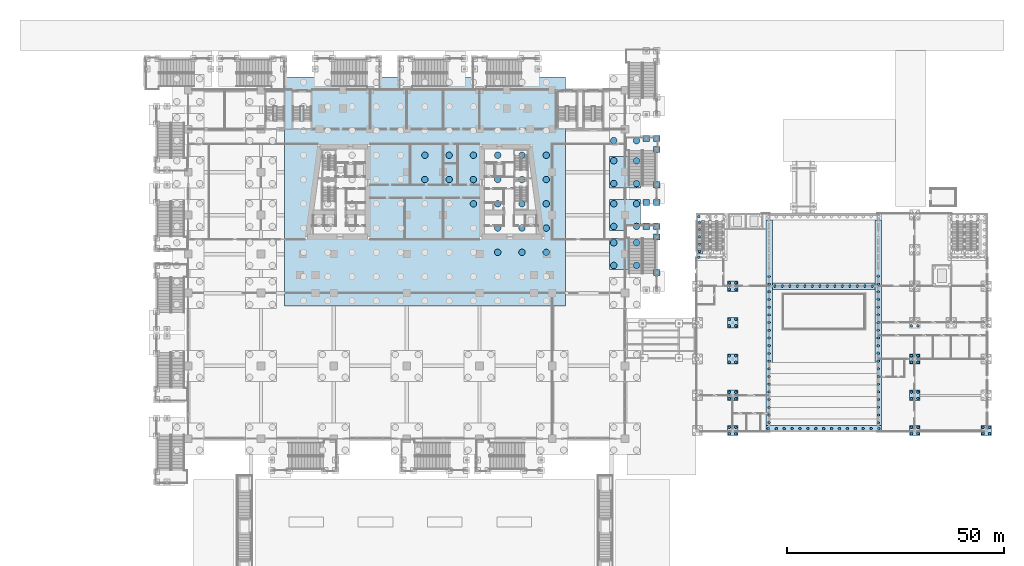
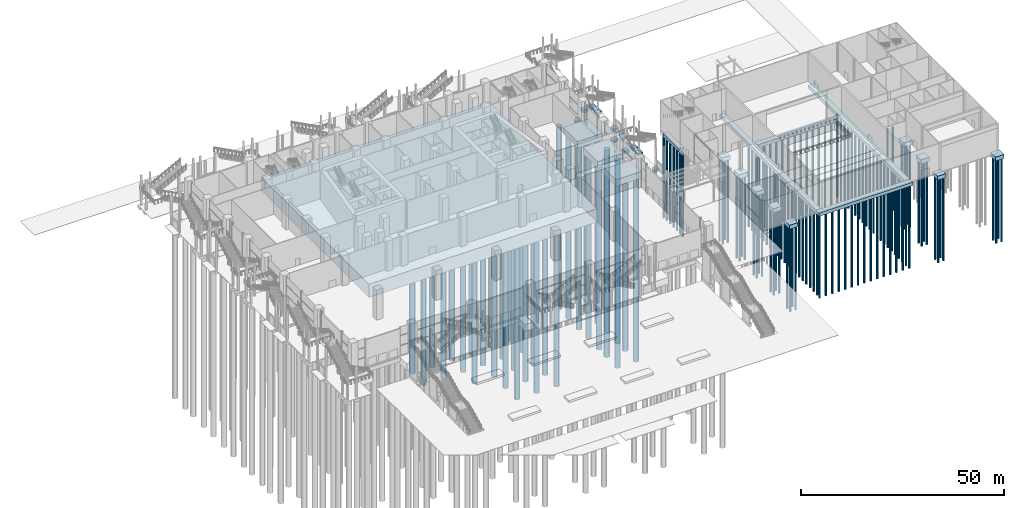
# One storey, part 3 of 72: 150 piles, 28 footings.
"""IFC4 building model written with IfcOpenShell, lengths in metres."""

from ifc_helpers import new_model, si_unit, direction, frame, origin, origin_2d, place, context, subcontext, project, spatial, polyline, rectangle, circle, outline, extrude, material, layer, layer_set, material_profile, profile_set, type_object, element, save


model = new_model("IFC4")

# Units and contexts
model_context = context("Model", 3, precision=1e-05, world=origin(), true_north=direction((0.0, 1.0)))
body_context = subcontext(model_context, "Body", "Model", "MODEL_VIEW")
ifc_project = project(units=[si_unit("LENGTHUNIT", "METRE"), si_unit("AREAUNIT", "SQUARE_METRE"), si_unit("VOLUMEUNIT", "CUBIC_METRE"), si_unit("PLANEANGLEUNIT", "RADIAN"), si_unit("MASSUNIT", "GRAM", prefix="KILO")], contexts=[model_context])

# Site, building, storey
site_placement = place(None, origin())
site = spatial("IfcSite", under=ifc_project, at=site_placement, CompositionType="ELEMENT")
building_placement = place(site_placement, origin())
building = spatial("IfcBuilding", under=site, at=building_placement, Name="Candeia Pilgrim Tower and Theatre", CompositionType="ELEMENT")
storey_placement = place(building_placement, origin())
storey = spatial("IfcBuildingStorey", under=building, at=storey_placement, Name="L00", CompositionType="ELEMENT", Elevation=0.0)

# Piles
ifc_material_1 = material(Name="Concrete C40/50", Category="concrete")
ifc_material_profile = material_profile(ifc_material_1, circle(Radius=0.75, at=origin_2d()))
ifc_profile_set = profile_set([ifc_material_profile], Name="Concrete C40/50")
pile_type_1 = type_object("IfcPileType", Name="Bored pile D1500 C40/50", PredefinedType="BORED", material=ifc_profile_set)
for number, where, z_axis, x_axis, name in (
    (1, (130.199951171875, 107.39990234375, -4.35009765625), (0.0, 0.0, -1.0), (1.0, 0.0, 0.0), "Pile R031"),
    (2, (135.800048828125, 107.39990234375, -4.35009765625), (0.0, 0.0, -1.0), (1.0, 0.0, 0.0), "Pile R032"),
    (3, (141.39990234375, 107.39990234375, -4.35009765625), (0.0, 0.0, -1.0), (1.0, 0.0, 0.0), "Pile R033"),
    (4, (130.199951171875, 113.0, -4.35009765625), (0.0, 0.0, -1.0), (1.0, 0.0, 0.0), "Pile R042"),
    (5, (135.800048828125, 113.0, -4.35009765625), (0.0, 0.0, -1.0), (1.0, 0.0, 0.0), "Pile R043"),
    (6, (141.39990234375, 113.0, -4.35009765625), (0.0, 0.0, -1.0), (1.0, 0.0, 0.0), "Pile R044"),
    (7, (124.60009765625, 118.60009765625, -4.35009765625), (0.0, 0.0, -1.0), (1.0, 0.0, 0.0), "Pile R052"),
    (8, (130.199951171875, 118.60009765625, -4.35009765625), (0.0, 0.0, -1.0), (1.0, 0.0, 0.0), "Pile R053"),
    (9, (135.800048828125, 118.60009765625, -4.35009765625), (0.0, 0.0, -1.0), (1.0, 0.0, 0.0), "Pile R054"),
    (10, (141.39990234375, 118.60009765625, -4.35009765625), (0.0, 0.0, -1.0), (1.0, 0.0, 0.0), "Pile R055"),
    (11, (113.39990234375, 124.199951171875, -4.35009765625), (0.0, 0.0, -1.0), (1.0, 0.0, 0.0), "Pile R061"),
    (12, (119.0, 124.199951171875, -4.35009765625), (0.0, 0.0, -1.0), (1.0, 0.0, 0.0), "Pile R062"),
    (13, (124.60009765625, 124.199951171875, -4.35009765625), (0.0, 0.0, -1.0), (1.0, 0.0, 0.0), "Pile R063"),
    (14, (130.199951171875, 124.199951171875, -4.35009765625), (0.0, 0.0, -1.0), (1.0, 0.0, 0.0), "Pile R064"),
    (15, (135.800048828125, 124.199951171875, -4.35009765625), (0.0, 0.0, -1.0), (1.0, 0.0, 0.0), "Pile R065"),
    (16, (141.39990234375, 124.199951171875, -4.35009765625), (0.0, 0.0, -1.0), (1.0, 0.0, 0.0), "Pile R066"),
    (17, (113.39990234375, 129.800048828125, -4.35009765625), (0.0, 0.0, -1.0), (1.0, 0.0, 0.0), "Pile R072"),
    (18, (119.0, 129.800048828125, -4.35009765625), (0.0, 0.0, -1.0), (1.0, 0.0, 0.0), "Pile R073"),
    (19, (124.60009765625, 129.800048828125, -4.35009765625), (0.0, 0.0, -1.0), (1.0, 0.0, 0.0), "Pile R074"),
    (20, (130.199951171875, 129.800048828125, -4.35009765625), (0.0, 0.0, -1.0), (1.0, 0.0, 0.0), "Pile R075"),
    (21, (135.800048828125, 129.800048828125, -4.35009765625), (0.0, 0.0, -1.0), (1.0, 0.0, 0.0), "Pile R076"),
    (22, (141.39990234375, 129.800048828125, -4.35009765625), (0.0, 0.0, -1.0), (1.0, 0.0, 0.0), "Pile R077"),
    (23, (156.97509765625, 104.375, -2.35009765625), (0.0, 0.0, -1.0), (1.0, 0.0, 0.0), "Pile P+0756+0090-1"),
    (24, (162.22509765625, 104.375, -2.35009765625), (0.0, 0.0, -1.0), (1.0, 0.0, 0.0), "Pile P+0756+0090-2"),
    (25, (156.97509765625, 109.625, -2.35009765625), (0.0, 0.0, -1.0), (1.0, 0.0, 0.0), "Pile P+0756+0090-3"),
    (26, (162.22509765625, 109.625, -2.35009765625), (0.0, 0.0, -1.0), (1.0, 0.0, 0.0), "Pile P+0756+0090-4"),
    (27, (156.97509765625, 113.375, -2.35009765625), (0.0, 0.0, -1.0), (1.0, 0.0, 0.0), "Pile P+0756+0180-1"),
    (28, (162.22509765625, 113.375, -2.35009765625), (0.0, 0.0, -1.0), (1.0, 0.0, 0.0), "Pile P+0756+0180-2"),
    (29, (156.97509765625, 118.625, -2.35009765625), (0.0, 0.0, -1.0), (1.0, 0.0, 0.0), "Pile P+0756+0180-3"),
    (30, (162.22509765625, 118.625, -2.35009765625), (0.0, 0.0, -1.0), (1.0, 0.0, 0.0), "Pile P+0756+0180-4"),
    (31, (156.97509765625, 123.27490234375, -2.35009765625), (0.0, 0.0, -1.0), (1.0, 0.0, 0.0), "Pile P+0756+0279-1"),
    (32, (162.22509765625, 123.27490234375, -2.35009765625), (0.0, 0.0, -1.0), (1.0, 0.0, 0.0), "Pile P+0756+0279-2"),
    (33, (156.97509765625, 128.52490234375, -2.35009765625), (0.0, 0.0, -1.0), (1.0, 0.0, 0.0), "Pile P+0756+0279-3"),
    (34, (162.22509765625, 128.52490234375, -2.35009765625), (0.0, 0.0, -1.0), (1.0, 0.0, 0.0), "Pile P+0756+0279-4"),
    (35, (156.97509765625, 133.175048828125, -2.35009765625), (0.0, 0.0, -1.0), (1.0, 0.0, 0.0), "Pile P+0756+0378-1"),
    (36, (162.22509765625, 133.175048828125, -2.35009765625), (0.0, 0.0, -1.0), (1.0, 0.0, 0.0), "Pile P+0756+0378-2"),
):
    element("IfcPile", number, at=place(storey_placement, frame(where, z_axis=z_axis, x_axis=x_axis)), inside=storey, type_object=pile_type_1, Name=name, PredefinedType="BORED", context=body_context, shape_type="SweptSolid", body=[
        extrude(circle(Radius=0.75, at=origin_2d()), origin(), (0.0, 0.0, 1.0), 55.0),
    ])
ifc_material_2 = material(Name="Concrete C35/45", Category="concrete")
pile_type_2 = type_object("IfcPileType", Name="Bored pile D600", PredefinedType="BORED", material=ifc_material_2)
for number, where, z_axis, x_axis, name in (
    (37, (183.64990234375, 65.550048828125, -1.5), (0.0, 0.0, -1.0), (1.0, 0.0, 0.0), "T-FP-A2-1"),
    (38, (185.14990234375, 65.550048828125, -1.5), (0.0, 0.0, -1.0), (1.0, 0.0, 0.0), "T-FP-A2-2"),
    (39, (183.64990234375, 67.050048828125, -1.5), (0.0, 0.0, -1.0), (1.0, 0.0, 0.0), "T-FP-A2-3"),
    (40, (185.14990234375, 67.050048828125, -1.5), (0.0, 0.0, -1.0), (1.0, 0.0, 0.0), "T-FP-A2-4"),
    (41, (183.64990234375, 73.64990234375, -1.5), (0.0, 0.0, -1.0), (1.0, 0.0, 0.0), "T-FP-B2-1"),
    (42, (185.14990234375, 73.64990234375, -1.5), (0.0, 0.0, -1.0), (1.0, 0.0, 0.0), "T-FP-B2-2"),
    (43, (183.64990234375, 75.14990234375, -1.5), (0.0, 0.0, -1.0), (1.0, 0.0, 0.0), "T-FP-B2-3"),
    (44, (185.14990234375, 75.14990234375, -1.5), (0.0, 0.0, -1.0), (1.0, 0.0, 0.0), "T-FP-B2-4"),
    (45, (183.64990234375, 82.050048828125, -1.5), (0.0, 0.0, -1.0), (1.0, 0.0, 0.0), "T-FP-C2-1"),
    (46, (185.14990234375, 82.050048828125, -1.5), (0.0, 0.0, -1.0), (1.0, 0.0, 0.0), "T-FP-C2-2"),
    (47, (183.64990234375, 83.550048828125, -1.5), (0.0, 0.0, -1.0), (1.0, 0.0, 0.0), "T-FP-C2-3"),
    (48, (185.14990234375, 83.550048828125, -1.5), (0.0, 0.0, -1.0), (1.0, 0.0, 0.0), "T-FP-C2-4"),
    (49, (183.64990234375, 90.449951171875, -1.5), (0.0, 0.0, -1.0), (1.0, 0.0, 0.0), "T-FP-D2-1"),
    (50, (185.14990234375, 90.449951171875, -1.5), (0.0, 0.0, -1.0), (1.0, 0.0, 0.0), "T-FP-D2-2"),
    (51, (183.64990234375, 91.949951171875, -1.5), (0.0, 0.0, -1.0), (1.0, 0.0, 0.0), "T-FP-D2-3"),
    (52, (185.14990234375, 91.949951171875, -1.5), (0.0, 0.0, -1.0), (1.0, 0.0, 0.0), "T-FP-D2-4"),
    (53, (183.64990234375, 98.85009765625, -1.5), (0.0, 0.0, -1.0), (1.0, 0.0, 0.0), "T-FP-E2-1"),
    (54, (185.14990234375, 98.85009765625, -1.5), (0.0, 0.0, -1.0), (1.0, 0.0, 0.0), "T-FP-E2-2"),
    (55, (183.64990234375, 100.35009765625, -1.5), (0.0, 0.0, -1.0), (1.0, 0.0, 0.0), "T-FP-E2-3"),
    (56, (185.14990234375, 100.35009765625, -1.5), (0.0, 0.0, -1.0), (1.0, 0.0, 0.0), "T-FP-E2-4"),
    (57, (225.64990234375, 65.550048828125, -1.5), (0.0, 0.0, -1.0), (1.0, 0.0, 0.0), "T-FP-A7-1"),
    (58, (227.14990234375, 65.550048828125, -1.5), (0.0, 0.0, -1.0), (1.0, 0.0, 0.0), "T-FP-A7-2"),
    (59, (225.64990234375, 67.050048828125, -1.5), (0.0, 0.0, -1.0), (1.0, 0.0, 0.0), "T-FP-A7-3"),
    (60, (227.14990234375, 67.050048828125, -1.5), (0.0, 0.0, -1.0), (1.0, 0.0, 0.0), "T-FP-A7-4"),
    (61, (225.64990234375, 73.64990234375, -1.5), (0.0, 0.0, -1.0), (1.0, 0.0, 0.0), "T-FP-B7-1"),
    (62, (227.14990234375, 73.64990234375, -1.5), (0.0, 0.0, -1.0), (1.0, 0.0, 0.0), "T-FP-B7-2"),
    (63, (225.64990234375, 75.14990234375, -1.5), (0.0, 0.0, -1.0), (1.0, 0.0, 0.0), "T-FP-B7-3"),
    (64, (227.14990234375, 75.14990234375, -1.5), (0.0, 0.0, -1.0), (1.0, 0.0, 0.0), "T-FP-B7-4"),
    (65, (225.64990234375, 82.050048828125, -1.5), (0.0, 0.0, -1.0), (1.0, 0.0, 0.0), "T-FP-C7-1"),
    (66, (227.14990234375, 82.050048828125, -1.5), (0.0, 0.0, -1.0), (1.0, 0.0, 0.0), "T-FP-C7-2"),
    (67, (225.64990234375, 83.550048828125, -1.5), (0.0, 0.0, -1.0), (1.0, 0.0, 0.0), "T-FP-C7-3"),
    (68, (227.14990234375, 83.550048828125, -1.5), (0.0, 0.0, -1.0), (1.0, 0.0, 0.0), "T-FP-C7-4"),
    (69, (225.64990234375, 90.449951171875, -1.5), (0.0, 0.0, -1.0), (1.0, 0.0, 0.0), "T-FP-D7-1"),
    (70, (227.14990234375, 90.449951171875, -1.5), (0.0, 0.0, -1.0), (1.0, 0.0, 0.0), "T-FP-D7-2"),
    (71, (242.14990234375, 65.550048828125, -1.5), (0.0, 0.0, -1.0), (1.0, 0.0, 0.0), "T-FP-A9-1"),
    (72, (243.64990234375, 65.550048828125, -1.5), (0.0, 0.0, -1.0), (1.0, 0.0, 0.0), "T-FP-A9-2"),
    (73, (242.14990234375, 67.050048828125, -1.5), (0.0, 0.0, -1.0), (1.0, 0.0, 0.0), "T-FP-A9-3"),
    (74, (243.64990234375, 67.050048828125, -1.5), (0.0, 0.0, -1.0), (1.0, 0.0, 0.0), "T-FP-A9-4"),
    (75, (192.64990234375, 66.75, -1.300048828125), (0.0, 0.0, -1.0), (1.0, 0.0, 0.0), "T-FSP-001-1"),
    (76, (194.471435546875, 66.75, -1.300048828125), (0.0, 0.0, -1.0), (1.0, 0.0, 0.0), "T-FSP-001-2"),
    (77, (196.29296875, 66.75, -1.300048828125), (0.0, 0.0, -1.0), (1.0, 0.0, 0.0), "T-FSP-001-3"),
    (78, (198.1142578125, 66.75, -1.300048828125), (0.0, 0.0, -1.0), (1.0, 0.0, 0.0), "T-FSP-001-4"),
    (79, (199.935791015625, 66.75, -1.300048828125), (0.0, 0.0, -1.0), (1.0, 0.0, 0.0), "T-FSP-001-5"),
    (80, (201.757080078125, 66.75, -1.300048828125), (0.0, 0.0, -1.0), (1.0, 0.0, 0.0), "T-FSP-001-6"),
    (81, (203.57861328125, 66.75, -1.300048828125), (0.0, 0.0, -1.0), (1.0, 0.0, 0.0), "T-FSP-001-7"),
    (82, (205.39990234375, 66.75, -1.300048828125), (0.0, 0.0, -1.0), (1.0, 0.0, 0.0), "T-FSP-001-8"),
    (83, (207.221435546875, 66.75, -1.300048828125), (0.0, 0.0, -1.0), (1.0, 0.0, 0.0), "T-FSP-001-9"),
    (84, (209.04296875, 66.75, -1.300048828125), (0.0, 0.0, -1.0), (1.0, 0.0, 0.0), "T-FSP-001-10"),
    (85, (210.8642578125, 66.75, -1.300048828125), (0.0, 0.0, -1.0), (1.0, 0.0, 0.0), "T-FSP-001-11"),
    (86, (212.685791015625, 66.75, -1.300048828125), (0.0, 0.0, -1.0), (1.0, 0.0, 0.0), "T-FSP-001-12"),
    (87, (214.507080078125, 66.75, -1.300048828125), (0.0, 0.0, -1.0), (1.0, 0.0, 0.0), "T-FSP-001-13"),
    (88, (216.32861328125, 66.75, -1.300048828125), (0.0, 0.0, -1.0), (1.0, 0.0, 0.0), "T-FSP-001-14"),
    (89, (218.14990234375, 66.75, -1.300048828125), (0.0, 0.0, -1.0), (1.0, 0.0, 0.0), "T-FSP-001-15"),
    (90, (194.14990234375, 99.60009765625, -1.300048828125), (0.0, 0.0, -1.0), (1.0, 0.0, 0.0), "T-FSP-002-1"),
    (91, (195.880859375, 99.60009765625, -1.300048828125), (0.0, 0.0, -1.0), (1.0, 0.0, 0.0), "T-FSP-002-2"),
    (92, (197.611572265625, 99.60009765625, -1.300048828125), (0.0, 0.0, -1.0), (1.0, 0.0, 0.0), "T-FSP-002-3"),
    (93, (199.34228515625, 99.60009765625, -1.300048828125), (0.0, 0.0, -1.0), (1.0, 0.0, 0.0), "T-FSP-002-4"),
    (94, (201.072998046875, 99.60009765625, -1.300048828125), (0.0, 0.0, -1.0), (1.0, 0.0, 0.0), "T-FSP-002-5"),
    (95, (202.8037109375, 99.60009765625, -1.300048828125), (0.0, 0.0, -1.0), (1.0, 0.0, 0.0), "T-FSP-002-6"),
    (96, (204.53466796875, 99.60009765625, -1.300048828125), (0.0, 0.0, -1.0), (1.0, 0.0, 0.0), "T-FSP-002-7"),
    (97, (206.265380859375, 99.60009765625, -1.300048828125), (0.0, 0.0, -1.0), (1.0, 0.0, 0.0), "T-FSP-002-8"),
    (98, (207.99609375, 99.60009765625, -1.300048828125), (0.0, 0.0, -1.0), (1.0, 0.0, 0.0), "T-FSP-002-9"),
    (99, (209.726806640625, 99.60009765625, -1.300048828125), (0.0, 0.0, -1.0), (1.0, 0.0, 0.0), "T-FSP-002-10"),
    (100, (211.457763671875, 99.60009765625, -1.300048828125), (0.0, 0.0, -1.0), (1.0, 0.0, 0.0), "T-FSP-002-11"),
    (101, (213.1884765625, 99.60009765625, -1.300048828125), (0.0, 0.0, -1.0), (1.0, 0.0, 0.0), "T-FSP-002-12"),
    (102, (214.919189453125, 99.60009765625, -1.300048828125), (0.0, 0.0, -1.0), (1.0, 0.0, 0.0), "T-FSP-002-13"),
    (103, (216.64990234375, 99.60009765625, -1.300048828125), (0.0, 0.0, -1.0), (1.0, 0.0, 0.0), "T-FSP-002-14"),
    (104, (176.60009765625, 106.300048828125, -1.300048828125), (0.0, 0.0, -1.0), (1.0, 0.0, 0.0), "T-FSP-003-1"),
    (105, (176.60009765625, 115.64990234375, -1.300048828125), (0.0, 0.0, -1.0), (1.0, 0.0, 0.0), "T-FSP-005-1"),
    (106, (176.75, 107.64990234375, -1.300048828125), (0.0, 0.0, -1.0), (1.0, 0.0, 0.0), "T-FSP-008-1"),
    (107, (176.75, 109.3125, -1.300048828125), (0.0, 0.0, -1.0), (1.0, 0.0, 0.0), "T-FSP-008-2"),
    (108, (176.75, 110.97509765625, -1.300048828125), (0.0, 0.0, -1.0), (1.0, 0.0, 0.0), "T-FSP-008-3"),
    (109, (176.75, 112.637451171875, -1.300048828125), (0.0, 0.0, -1.0), (1.0, 0.0, 0.0), "T-FSP-008-4"),
    (110, (176.75, 114.300048828125, -1.300048828125), (0.0, 0.0, -1.0), (1.0, 0.0, 0.0), "T-FSP-008-5"),
    (111, (192.800048828125, 68.10009765625, -1.300048828125), (0.0, 0.0, -1.0), (1.0, 0.0, 0.0), "T-FSP-011-1"),
    (112, (192.800048828125, 69.876953125, -1.300048828125), (0.0, 0.0, -1.0), (1.0, 0.0, 0.0), "T-FSP-011-2"),
    (113, (192.800048828125, 71.65380859375, -1.300048828125), (0.0, 0.0, -1.0), (1.0, 0.0, 0.0), "T-FSP-011-3"),
    (114, (192.800048828125, 73.430908203125, -1.300048828125), (0.0, 0.0, -1.0), (1.0, 0.0, 0.0), "T-FSP-011-4"),
    (115, (192.800048828125, 75.207763671875, -1.300048828125), (0.0, 0.0, -1.0), (1.0, 0.0, 0.0), "T-FSP-011-5"),
    (116, (192.800048828125, 76.984619140625, -1.300048828125), (0.0, 0.0, -1.0), (1.0, 0.0, 0.0), "T-FSP-011-6"),
    (117, (192.800048828125, 78.761474609375, -1.300048828125), (0.0, 0.0, -1.0), (1.0, 0.0, 0.0), "T-FSP-011-7"),
    (118, (192.800048828125, 80.53857421875, -1.300048828125), (0.0, 0.0, -1.0), (1.0, 0.0, 0.0), "T-FSP-011-8"),
    (119, (192.800048828125, 82.3154296875, -1.300048828125), (0.0, 0.0, -1.0), (1.0, 0.0, 0.0), "T-FSP-011-9"),
    (120, (192.800048828125, 84.09228515625, -1.300048828125), (0.0, 0.0, -1.0), (1.0, 0.0, 0.0), "T-FSP-011-10"),
    (121, (192.800048828125, 85.869140625, -1.300048828125), (0.0, 0.0, -1.0), (1.0, 0.0, 0.0), "T-FSP-011-11"),
    (122, (192.800048828125, 87.646240234375, -1.300048828125), (0.0, 0.0, -1.0), (1.0, 0.0, 0.0), "T-FSP-011-12"),
    (123, (192.800048828125, 89.423095703125, -1.300048828125), (0.0, 0.0, -1.0), (1.0, 0.0, 0.0), "T-FSP-011-13"),
    (124, (192.800048828125, 91.199951171875, -1.300048828125), (0.0, 0.0, -1.0), (1.0, 0.0, 0.0), "T-FSP-011-14"),
    (125, (192.800048828125, 92.976806640625, -1.300048828125), (0.0, 0.0, -1.0), (1.0, 0.0, 0.0), "T-FSP-011-15"),
    (126, (192.800048828125, 94.75390625, -1.300048828125), (0.0, 0.0, -1.0), (1.0, 0.0, 0.0), "T-FSP-011-16"),
    (127, (192.800048828125, 96.53076171875, -1.300048828125), (0.0, 0.0, -1.0), (1.0, 0.0, 0.0), "T-FSP-011-17"),
    (128, (192.800048828125, 98.3076171875, -1.300048828125), (0.0, 0.0, -1.0), (1.0, 0.0, 0.0), "T-FSP-011-18"),
    (129, (192.800048828125, 100.084716796875, -1.300048828125), (0.0, 0.0, -1.0), (1.0, 0.0, 0.0), "T-FSP-011-19"),
    (130, (192.800048828125, 101.861572265625, -1.300048828125), (0.0, 0.0, -1.0), (1.0, 0.0, 0.0), "T-FSP-011-20"),
    (131, (218.0, 68.10009765625, -1.300048828125), (0.0, 0.0, -1.0), (1.0, 0.0, 0.0), "T-FSP-012-1"),
    (132, (218.0, 69.876953125, -1.300048828125), (0.0, 0.0, -1.0), (1.0, 0.0, 0.0), "T-FSP-012-2"),
    (133, (218.0, 71.65380859375, -1.300048828125), (0.0, 0.0, -1.0), (1.0, 0.0, 0.0), "T-FSP-012-3"),
    (134, (218.0, 73.430908203125, -1.300048828125), (0.0, 0.0, -1.0), (1.0, 0.0, 0.0), "T-FSP-012-4"),
    (135, (218.0, 75.207763671875, -1.300048828125), (0.0, 0.0, -1.0), (1.0, 0.0, 0.0), "T-FSP-012-5"),
    (136, (218.0, 76.984619140625, -1.300048828125), (0.0, 0.0, -1.0), (1.0, 0.0, 0.0), "T-FSP-012-6"),
    (137, (218.0, 78.761474609375, -1.300048828125), (0.0, 0.0, -1.0), (1.0, 0.0, 0.0), "T-FSP-012-7"),
    (138, (218.0, 80.53857421875, -1.300048828125), (0.0, 0.0, -1.0), (1.0, 0.0, 0.0), "T-FSP-012-8"),
    (139, (218.0, 82.3154296875, -1.300048828125), (0.0, 0.0, -1.0), (1.0, 0.0, 0.0), "T-FSP-012-9"),
    (140, (218.0, 84.09228515625, -1.300048828125), (0.0, 0.0, -1.0), (1.0, 0.0, 0.0), "T-FSP-012-10"),
    (141, (218.0, 85.869140625, -1.300048828125), (0.0, 0.0, -1.0), (1.0, 0.0, 0.0), "T-FSP-012-11"),
    (142, (218.0, 87.646240234375, -1.300048828125), (0.0, 0.0, -1.0), (1.0, 0.0, 0.0), "T-FSP-012-12"),
    (143, (218.0, 89.423095703125, -1.300048828125), (0.0, 0.0, -1.0), (1.0, 0.0, 0.0), "T-FSP-012-13"),
    (144, (218.0, 91.199951171875, -1.300048828125), (0.0, 0.0, -1.0), (1.0, 0.0, 0.0), "T-FSP-012-14"),
    (145, (218.0, 92.976806640625, -1.300048828125), (0.0, 0.0, -1.0), (1.0, 0.0, 0.0), "T-FSP-012-15"),
    (146, (218.0, 94.75390625, -1.300048828125), (0.0, 0.0, -1.0), (1.0, 0.0, 0.0), "T-FSP-012-16"),
    (147, (218.0, 96.53076171875, -1.300048828125), (0.0, 0.0, -1.0), (1.0, 0.0, 0.0), "T-FSP-012-17"),
    (148, (218.0, 98.3076171875, -1.300048828125), (0.0, 0.0, -1.0), (1.0, 0.0, 0.0), "T-FSP-012-18"),
    (149, (218.0, 100.084716796875, -1.300048828125), (0.0, 0.0, -1.0), (1.0, 0.0, 0.0), "T-FSP-012-19"),
    (150, (218.0, 101.861572265625, -1.300048828125), (0.0, 0.0, -1.0), (1.0, 0.0, 0.0), "T-FSP-012-20"),
):
    element("IfcPile", number, at=place(storey_placement, frame(where, z_axis=z_axis, x_axis=x_axis)), inside=storey, type_object=pile_type_2, Name=name, PredefinedType="BORED", context=body_context, shape_type="SweptSolid", body=[
        extrude(circle(Radius=0.300048828125, at=origin_2d()), origin(), (0.0, 0.0, 1.0), 25.0),
    ])

# Footings
footing_type_1 = type_object("IfcFootingType", Name="Escape stair pad footing 1400", PredefinedType="PAD_FOOTING", material=ifc_material_2)
footing_1_placement = place(storey_placement, frame((0.0, 0.0, -1.0)))
element("IfcFooting", 151, at=footing_1_placement, inside=storey, type_object=footing_type_1, Name="External escape stair ES1 pad N2", PredefinedType="PAD_FOOTING", context=body_context, shape_type="SweptSolid", body=[
    extrude(outline(polyline([(166.199951171875, 102.050048828125), (167.60009765625, 102.050048828125), (167.60009765625, 103.449951171875), (166.199951171875, 103.449951171875), (166.199951171875, 102.050048828125)])), origin(), (0.0, 0.0, 1.0), 0.800048828125),
])
footing_2_placement = place(storey_placement, frame((0.0, 0.0, -1.0)))
element("IfcFooting", 152, at=footing_2_placement, inside=storey, type_object=footing_type_1, Name="External escape stair ES1 pad F1", PredefinedType="PAD_FOOTING", context=body_context, shape_type="SweptSolid", body=[
    extrude(outline(polyline([(166.199951171875, 110.2099609375), (167.60009765625, 110.2099609375), (167.60009765625, 111.610107421875), (166.199951171875, 111.610107421875), (166.199951171875, 110.2099609375)])), origin(), (0.0, 0.0, 1.0), 0.800048828125),
])
footing_3_placement = place(storey_placement, frame((0.0, 0.0, -1.0)))
element("IfcFooting", 153, at=footing_3_placement, inside=storey, type_object=footing_type_1, Name="External escape stair ES1 pad F2", PredefinedType="PAD_FOOTING", context=body_context, shape_type="SweptSolid", body=[
    extrude(outline(polyline([(166.199951171875, 112.7099609375), (167.60009765625, 112.7099609375), (167.60009765625, 114.110107421875), (166.199951171875, 114.110107421875), (166.199951171875, 112.7099609375)])), origin(), (0.0, 0.0, 1.0), 0.800048828125),
])
footing_4_placement = place(storey_placement, frame((0.0, 0.0, -1.0)))
element("IfcFooting", 154, at=footing_4_placement, inside=storey, type_object=footing_type_1, Name="External escape stair ES1 pad F3", PredefinedType="PAD_FOOTING", context=body_context, shape_type="SweptSolid", body=[
    extrude(outline(polyline([(163.77490234375, 112.7099609375), (165.175048828125, 112.7099609375), (165.175048828125, 114.110107421875), (163.77490234375, 114.110107421875), (163.77490234375, 112.7099609375)])), origin(), (0.0, 0.0, 1.0), 0.800048828125),
])
footing_5_placement = place(storey_placement, frame((0.0, 0.0, -1.0)))
element("IfcFooting", 155, at=footing_5_placement, inside=storey, type_object=footing_type_1, Name="External escape stair ES14 pad N1", PredefinedType="PAD_FOOTING", context=body_context, shape_type="SweptSolid", body=[
    extrude(outline(polyline([(166.199951171875, 118.199951171875), (167.60009765625, 118.199951171875), (167.60009765625, 119.60009765625), (166.199951171875, 119.60009765625), (166.199951171875, 118.199951171875)])), origin(), (0.0, 0.0, 1.0), 0.800048828125),
])
footing_6_placement = place(storey_placement, frame((0.0, 0.0, -1.0)))
element("IfcFooting", 156, at=footing_6_placement, inside=storey, type_object=footing_type_1, Name="External escape stair ES14 pad N2", PredefinedType="PAD_FOOTING", context=body_context, shape_type="SweptSolid", body=[
    extrude(outline(polyline([(166.199951171875, 122.300048828125), (167.60009765625, 122.300048828125), (167.60009765625, 123.699951171875), (166.199951171875, 123.699951171875), (166.199951171875, 122.300048828125)])), origin(), (0.0, 0.0, 1.0), 0.800048828125),
])
footing_7_placement = place(storey_placement, frame((0.0, 0.0, -1.0)))
element("IfcFooting", 157, at=footing_7_placement, inside=storey, type_object=footing_type_1, Name="External escape stair ES14 pad N3", PredefinedType="PAD_FOOTING", context=body_context, shape_type="SweptSolid", body=[
    extrude(outline(polyline([(163.77490234375, 118.199951171875), (165.175048828125, 118.199951171875), (165.175048828125, 119.60009765625), (163.77490234375, 119.60009765625), (163.77490234375, 118.199951171875)])), origin(), (0.0, 0.0, 1.0), 0.800048828125),
])
footing_8_placement = place(storey_placement, frame((0.0, 0.0, -1.0)))
element("IfcFooting", 158, at=footing_8_placement, inside=storey, type_object=footing_type_1, Name="External escape stair ES14 pad F1", PredefinedType="PAD_FOOTING", context=body_context, shape_type="SweptSolid", body=[
    extrude(outline(polyline([(166.199951171875, 130.4599609375), (167.60009765625, 130.4599609375), (167.60009765625, 131.860107421875), (166.199951171875, 131.860107421875), (166.199951171875, 130.4599609375)])), origin(), (0.0, 0.0, 1.0), 0.800048828125),
])
footing_9_placement = place(storey_placement, frame((0.0, 0.0, -1.0)))
element("IfcFooting", 159, at=footing_9_placement, inside=storey, type_object=footing_type_1, Name="External escape stair ES14 pad F2", PredefinedType="PAD_FOOTING", context=body_context, shape_type="SweptSolid", body=[
    extrude(outline(polyline([(166.199951171875, 132.9599609375), (167.60009765625, 132.9599609375), (167.60009765625, 134.360107421875), (166.199951171875, 134.360107421875), (166.199951171875, 132.9599609375)])), origin(), (0.0, 0.0, 1.0), 0.800048828125),
])
footing_10_placement = place(storey_placement, frame((0.0, 0.0, -1.0)))
element("IfcFooting", 160, at=footing_10_placement, inside=storey, type_object=footing_type_1, Name="External escape stair ES14 pad F3", PredefinedType="PAD_FOOTING", context=body_context, shape_type="SweptSolid", body=[
    extrude(outline(polyline([(163.77490234375, 132.9599609375), (165.175048828125, 132.9599609375), (165.175048828125, 134.360107421875), (163.77490234375, 134.360107421875), (163.77490234375, 132.9599609375)])), origin(), (0.0, 0.0, 1.0), 0.800048828125),
])
footing_type_2 = type_object("IfcFootingType", Name="RC pile cap 7200x7200x2000 C40/50", PredefinedType="PILE_CAP", material=ifc_material_1)
for number, where, z_axis, x_axis, name in (
    (161, (159.60009765625, 107.0, -2.35009765625), (0.0, 0.0, 1.0), (1.0, 0.0, 0.0), "Pile cap P+0756+0090"),
    (162, (159.60009765625, 116.0, -2.35009765625), (0.0, 0.0, 1.0), (1.0, 0.0, 0.0), "Pile cap P+0756+0180"),
    (163, (159.60009765625, 125.89990234375, -2.35009765625), (0.0, 0.0, 1.0), (1.0, 0.0, 0.0), "Pile cap P+0756+0279"),
):
    element("IfcFooting", number, at=place(storey_placement, frame(where, z_axis=z_axis, x_axis=x_axis)), inside=storey, type_object=footing_type_2, Name=name, PredefinedType="PILE_CAP", context=body_context, shape_type="SweptSolid", body=[
        extrude(rectangle(XDim=7.199951171875, YDim=7.199951171875, at=origin_2d()), origin(), (0.0, 0.0, 1.0), 2.0),
    ])
ifc_layer = layer(ifc_material_1, 4.0)
ifc_layer_set = layer_set([ifc_layer], Name="RC raft 4000 C40/50")
footing_type_3 = type_object("IfcFootingType", Name="RC raft 4000 C40/50", PredefinedType="PILE_CAP", material=ifc_layer_set)
footing_11_placement = place(storey_placement, frame((0.0, 0.0, -4.35009765625)))
element("IfcFooting", 164, at=footing_11_placement, inside=storey, type_object=footing_type_3, Name="Tower raft", PredefinedType="PILE_CAP", context=body_context, shape_type="SweptSolid", body=[
    extrude(outline(polyline([(81.0, 95.0), (145.800048828125, 95.0), (145.800048828125, 147.800048828125), (81.0, 147.800048828125), (81.0, 95.0)])), origin(), (0.0, 0.0, 1.0), 4.0),
])
footing_type_4 = type_object("IfcFootingType", Name="Theatre pile cap 2400x2400", PredefinedType="PILE_CAP", material=ifc_material_2)
footing_12_placement = place(storey_placement, frame((0.0, 0.0, -1.5)))
element("IfcFooting", 165, at=footing_12_placement, inside=storey, type_object=footing_type_4, Name="Pile cap A2", PredefinedType="PILE_CAP", context=body_context, shape_type="SweptSolid", body=[
    extrude(outline(polyline([(183.199951171875, 65.10009765625), (185.60009765625, 65.10009765625), (185.60009765625, 67.5), (183.199951171875, 67.5), (183.199951171875, 65.10009765625)])), origin(), (0.0, 0.0, 1.0), 1.199951171875),
])
footing_13_placement = place(storey_placement, frame((0.0, 0.0, -1.5)))
element("IfcFooting", 166, at=footing_13_placement, inside=storey, type_object=footing_type_4, Name="Pile cap B2", PredefinedType="PILE_CAP", context=body_context, shape_type="SweptSolid", body=[
    extrude(outline(polyline([(183.199951171875, 73.199951171875), (185.60009765625, 73.199951171875), (185.60009765625, 75.60009765625), (183.199951171875, 75.60009765625), (183.199951171875, 73.199951171875)])), origin(), (0.0, 0.0, 1.0), 1.199951171875),
])
footing_14_placement = place(storey_placement, frame((0.0, 0.0, -1.5)))
element("IfcFooting", 167, at=footing_14_placement, inside=storey, type_object=footing_type_4, Name="Pile cap C2", PredefinedType="PILE_CAP", context=body_context, shape_type="SweptSolid", body=[
    extrude(outline(polyline([(183.199951171875, 81.60009765625), (185.60009765625, 81.60009765625), (185.60009765625, 84.0), (183.199951171875, 84.0), (183.199951171875, 81.60009765625)])), origin(), (0.0, 0.0, 1.0), 1.199951171875),
])
footing_15_placement = place(storey_placement, frame((0.0, 0.0, -1.5)))
element("IfcFooting", 168, at=footing_15_placement, inside=storey, type_object=footing_type_4, Name="Pile cap D2", PredefinedType="PILE_CAP", context=body_context, shape_type="SweptSolid", body=[
    extrude(outline(polyline([(183.199951171875, 90.0), (185.60009765625, 90.0), (185.60009765625, 92.39990234375), (183.199951171875, 92.39990234375), (183.199951171875, 90.0)])), origin(), (0.0, 0.0, 1.0), 1.199951171875),
])
footing_16_placement = place(storey_placement, frame((0.0, 0.0, -1.5)))
element("IfcFooting", 169, at=footing_16_placement, inside=storey, type_object=footing_type_4, Name="Pile cap E2", PredefinedType="PILE_CAP", context=body_context, shape_type="SweptSolid", body=[
    extrude(outline(polyline([(183.199951171875, 98.39990234375), (185.60009765625, 98.39990234375), (185.60009765625, 100.800048828125), (183.199951171875, 100.800048828125), (183.199951171875, 98.39990234375)])), origin(), (0.0, 0.0, 1.0), 1.199951171875),
])
footing_17_placement = place(storey_placement, frame((0.0, 0.0, -1.5)))
element("IfcFooting", 170, at=footing_17_placement, inside=storey, type_object=footing_type_4, Name="Pile cap A7", PredefinedType="PILE_CAP", context=body_context, shape_type="SweptSolid", body=[
    extrude(outline(polyline([(225.199951171875, 65.10009765625), (227.60009765625, 65.10009765625), (227.60009765625, 67.5), (225.199951171875, 67.5), (225.199951171875, 65.10009765625)])), origin(), (0.0, 0.0, 1.0), 1.199951171875),
])
footing_18_placement = place(storey_placement, frame((0.0, 0.0, -1.5)))
element("IfcFooting", 171, at=footing_18_placement, inside=storey, type_object=footing_type_4, Name="Pile cap B7", PredefinedType="PILE_CAP", context=body_context, shape_type="SweptSolid", body=[
    extrude(outline(polyline([(225.199951171875, 73.199951171875), (227.60009765625, 73.199951171875), (227.60009765625, 75.60009765625), (225.199951171875, 75.60009765625), (225.199951171875, 73.199951171875)])), origin(), (0.0, 0.0, 1.0), 1.199951171875),
])
footing_19_placement = place(storey_placement, frame((0.0, 0.0, -1.5)))
element("IfcFooting", 172, at=footing_19_placement, inside=storey, type_object=footing_type_4, Name="Pile cap C7", PredefinedType="PILE_CAP", context=body_context, shape_type="SweptSolid", body=[
    extrude(outline(polyline([(225.199951171875, 81.60009765625), (227.60009765625, 81.60009765625), (227.60009765625, 84.0), (225.199951171875, 84.0), (225.199951171875, 81.60009765625)])), origin(), (0.0, 0.0, 1.0), 1.199951171875),
])
footing_20_placement = place(storey_placement, frame((0.0, 0.0, -1.5)))
element("IfcFooting", 173, at=footing_20_placement, inside=storey, type_object=footing_type_4, Name="Pile cap A9", PredefinedType="PILE_CAP", context=body_context, shape_type="SweptSolid", body=[
    extrude(outline(polyline([(241.699951171875, 65.10009765625), (244.10009765625, 65.10009765625), (244.10009765625, 67.5), (241.699951171875, 67.5), (241.699951171875, 65.10009765625)])), origin(), (0.0, 0.0, 1.0), 1.199951171875),
])
footing_type_5 = type_object("IfcFootingType", Name="Theatre wall footing 1500", PredefinedType="STRIP_FOOTING", material=ifc_material_2)
footing_21_placement = place(storey_placement, frame((0.0, 0.0, -1.300048828125)))
element("IfcFooting", 174, at=footing_21_placement, inside=storey, type_object=footing_type_5, Name="Wall footing 1", PredefinedType="STRIP_FOOTING", context=body_context, shape_type="SweptSolid", body=[
    extrude(outline(polyline([(192.050048828125, 66.0), (218.75, 66.0), (218.75, 67.5), (192.050048828125, 67.5), (192.050048828125, 66.0)])), origin(), (0.0, 0.0, 1.0), 1.0),
])
footing_22_placement = place(storey_placement, frame((0.0, 0.0, -1.300048828125)))
element("IfcFooting", 175, at=footing_22_placement, inside=storey, type_object=footing_type_5, Name="Wall footing 2", PredefinedType="STRIP_FOOTING", context=body_context, shape_type="SweptSolid", body=[
    extrude(outline(polyline([(193.550048828125, 98.85009765625), (217.25, 98.85009765625), (217.25, 100.35009765625), (193.550048828125, 100.35009765625), (193.550048828125, 98.85009765625)])), origin(), (0.0, 0.0, 1.0), 1.0),
])
footing_23_placement = place(storey_placement, frame((0.0, 0.0, -1.300048828125)))
element("IfcFooting", 176, at=footing_23_placement, inside=storey, type_object=footing_type_5, Name="Wall footing 8", PredefinedType="STRIP_FOOTING", context=body_context, shape_type="SweptSolid", body=[
    extrude(outline(polyline([(176.0, 107.050048828125), (177.5, 107.050048828125), (177.5, 114.89990234375), (176.0, 114.89990234375), (176.0, 107.050048828125)])), origin(), (0.0, 0.0, 1.0), 1.0),
])
footing_24_placement = place(storey_placement, frame((0.0, 0.0, -1.300048828125)))
element("IfcFooting", 177, at=footing_24_placement, inside=storey, type_object=footing_type_5, Name="Wall footing 11", PredefinedType="STRIP_FOOTING", context=body_context, shape_type="SweptSolid", body=[
    extrude(outline(polyline([(192.050048828125, 67.5), (193.550048828125, 67.5), (193.550048828125, 114.89990234375), (192.050048828125, 114.89990234375), (192.050048828125, 67.5)])), origin(), (0.0, 0.0, 1.0), 1.0),
])
footing_25_placement = place(storey_placement, frame((0.0, 0.0, -1.300048828125)))
element("IfcFooting", 178, at=footing_25_placement, inside=storey, type_object=footing_type_5, Name="Wall footing 12", PredefinedType="STRIP_FOOTING", context=body_context, shape_type="SweptSolid", body=[
    extrude(outline(polyline([(217.25, 67.5), (218.75, 67.5), (218.75, 114.89990234375), (217.25, 114.89990234375), (217.25, 67.5)])), origin(), (0.0, 0.0, 1.0), 1.0),
])

save(model, "model.ifc")
